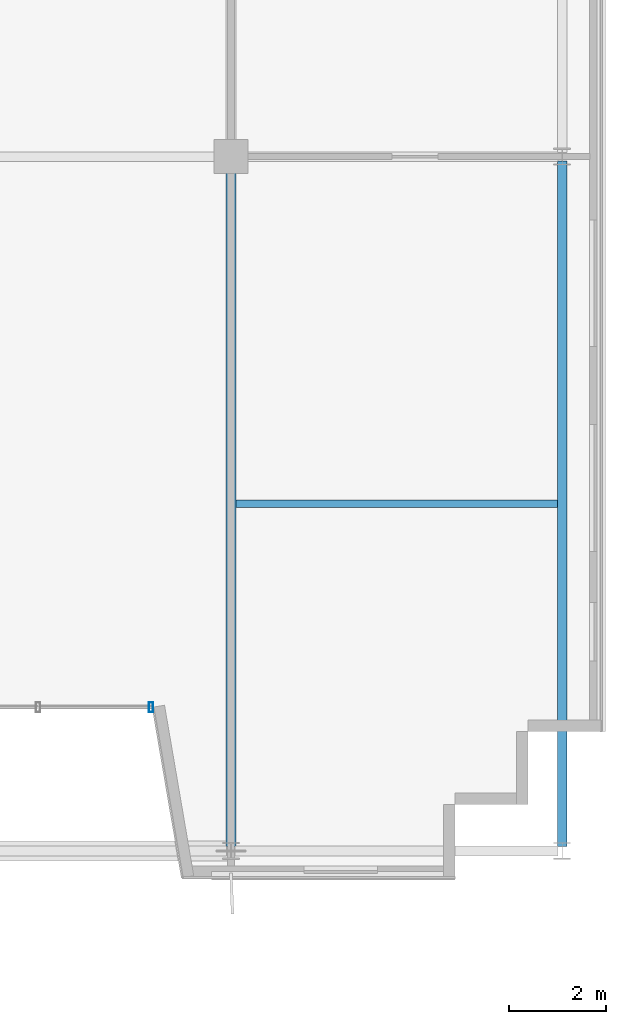
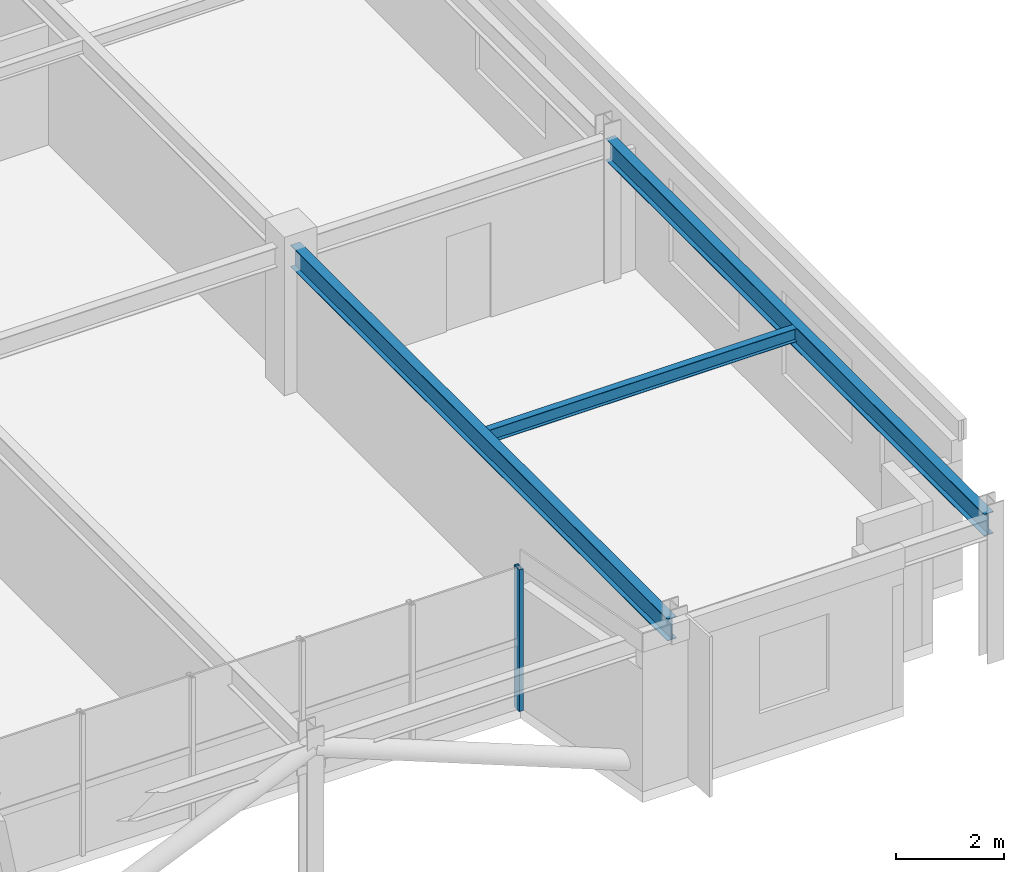
# One storey, part 8 of 27: 3 beams, 1 member, 1 element without a shape of its own.
"""IFC4 building model written with IfcOpenShell, lengths in metres."""

from ifc_helpers import new_model, si_unit, direction, frame, origin, origin_2d, place, context, subcontext, project, spatial, hollow_rectangle, i_section, extrude, source, transform, mapped, material, material_profile, profile_set, type_object, element, aggregate, save


model = new_model("IFC4")

# Units and contexts
model_context = context("Model", 3, precision=1e-05, world=origin(), true_north=direction((0.0, 1.0)))
body_context = subcontext(model_context, "Body", "Model", "MODEL_VIEW")
ifc_project = project(units=[si_unit("LENGTHUNIT", "METRE"), si_unit("AREAUNIT", "SQUARE_METRE"), si_unit("VOLUMEUNIT", "CUBIC_METRE"), si_unit("PLANEANGLEUNIT", "RADIAN"), si_unit("MASSUNIT", "GRAM", prefix="KILO")], contexts=[model_context])

# Site, building, storey
site_placement = place(None, origin())
site = spatial("IfcSite", under=ifc_project, at=site_placement, CompositionType="ELEMENT")
building_placement = place(site_placement, origin())
building = spatial("IfcBuilding", under=site, at=building_placement, Name="Trelvane Seafront Commons", CompositionType="ELEMENT")
storey_placement = place(building_placement, frame((0.0, 0.0, 237.300048828125)))
storey = spatial("IfcBuildingStorey", under=building, at=storey_placement, Name="L62", CompositionType="ELEMENT", Elevation=237.300048828125)

# Beams
ifc_material_1 = material(Name="Steel SM355 (S355)", Category="steel")
ifc_material_profile_1 = material_profile(ifc_material_1, i_section(OverallWidth=0.199951171875, OverallDepth=0.5, WebThickness=0.010009765625, FlangeThickness=0.01611328125, at=origin_2d()), Name="H-500x200x10x16")
ifc_profile_set_1 = profile_set([ifc_material_profile_1], Name="Steel SM355 (S355)")
beam_type_1 = type_object("IfcBeamType", Name="STR-BM-H500", PredefinedType="BEAM", material=ifc_profile_set_1)
shared_shape_1 = source(origin(), body_context, "Body", "SweptSolid", [
    extrude(i_section(OverallWidth=0.199951171875, OverallDepth=0.5, WebThickness=0.010009765625, FlangeThickness=0.01611328125, at=origin_2d()), origin(), (0.0, 0.0, 1.0), 14.074951171875),
])
beam_1_placement = place(storey_placement, frame((65.60009765625, 4.03759765625, 2.969970703125), z_axis=(0.0, 1.0, 0.0), x_axis=(-1.0, 0.0, 0.0)))
element("IfcBeam", 1, at=beam_1_placement, inside=storey, type_object=beam_type_1, Name="L62 Primary Girder G-50", PredefinedType="BEAM", context=body_context, shape_type="MappedRepresentation", body=[
    mapped(shared_shape_1, transform((0.0, 0.0, 0.0), x_axis=(1.0, 0.0, 0.0), y_axis=(0.0, 1.0, 0.0), z_axis=(0.0, 0.0, 1.0), scale=1.0)),
])
shared_shape_2 = source(origin(), body_context, "Body", "SweptSolid", [
    extrude(i_section(OverallWidth=0.199951171875, OverallDepth=0.5, WebThickness=0.010009765625, FlangeThickness=0.01611328125, at=origin_2d()), origin(), (0.0, 0.0, 1.0), 14.012451171875),
])
beam_2_placement = place(storey_placement, frame((58.800048828125, 4.03759765625, 2.969970703125), z_axis=(0.0, 1.0, 0.0), x_axis=(-1.0, 0.0, 0.0)))
element("IfcBeam", 2, at=beam_2_placement, inside=storey, type_object=beam_type_1, Name="L62 Primary Girder G-47", PredefinedType="BEAM", context=body_context, shape_type="MappedRepresentation", body=[
    mapped(shared_shape_2, transform((0.0, 0.0, 0.0), x_axis=(1.0, 0.0, 0.0), y_axis=(0.0, 1.0, 0.0), z_axis=(0.0, 0.0, 1.0), scale=1.0)),
])
ifc_material_profile_2 = material_profile(ifc_material_1, i_section(OverallWidth=0.14990234375, OverallDepth=0.300048828125, WebThickness=0.006591796875, FlangeThickness=0.009033203125, at=origin_2d()), Name="H-300x150x6.5x9")
ifc_profile_set_2 = profile_set([ifc_material_profile_2], Name="Steel SM355 (S355)")
beam_type_2 = type_object("IfcBeamType", Name="STR-JST-H300", PredefinedType="JOIST", material=ifc_profile_set_2)
shared_shape_3 = source(origin(), body_context, "Body", "SweptSolid", [
    extrude(i_section(OverallWidth=0.14990234375, OverallDepth=0.300048828125, WebThickness=0.006591796875, FlangeThickness=0.009033203125, at=origin_2d()), origin(), (0.0, 0.0, 1.0), 6.60009765625),
])
beam_3_placement = place(storey_placement, frame((58.89990234375, 11.074951171875, 3.070068359375), z_axis=(1.0, 0.0, 0.0), x_axis=(0.0, 1.0, 0.0)))
element("IfcBeam", 3, at=beam_3_placement, inside=storey, type_object=beam_type_2, Name="L62 Secondary Floor Joist B-57", PredefinedType="JOIST", context=body_context, shape_type="MappedRepresentation", body=[
    mapped(shared_shape_3, transform((0.0, 0.0, 0.0), x_axis=(1.0, 0.0, 0.0), y_axis=(0.0, 1.0, 0.0), z_axis=(0.0, 0.0, 1.0), scale=1.0)),
])

# Curtain wall, member
ifc_material_2 = material(Name="Anodised pale-silver aluminium", Category="aluminium")
curtain_wall_type = type_object("IfcCurtainWallType", Name="ARCH-CW3-PORTAL", PredefinedType="NOTDEFINED", material=ifc_material_2)
curtain_wall_placement = place(storey_placement, origin())
curtain_wall = element("IfcCurtainWall", 4, at=curtain_wall_placement, inside=storey, type_object=curtain_wall_type, Name="CW-L62-VN-0107", PredefinedType="NOTDEFINED")
ifc_material_profile_3 = material_profile(ifc_material_2, hollow_rectangle(XDim=0.090087890625, YDim=0.199951171875, WallThickness=0.0048828125, at=origin_2d()), Name="MULL-90x200x5")
ifc_profile_set_3 = profile_set([ifc_material_profile_3], Name="Anodised pale-silver aluminium")
member_type = type_object("IfcMemberType", Name="ARCH-CW-MULL-200", PredefinedType="MULLION", material=ifc_profile_set_3)
shared_shape_4 = source(origin(), body_context, "Body", "SweptSolid", [
    extrude(hollow_rectangle(XDim=0.090087890625, YDim=0.199951171875, WallThickness=0.0048828125, at=origin_2d()), origin(), (0.0, 0.0, 1.0), 3.219970703125),
])
member_placement = place(storey_placement, frame((57.159912109375, 6.89990234375, 0.0), z_axis=(0.0, 0.0, 1.0), x_axis=(1.0, 0.0, 0.0)))
member = element("IfcMember", 5, at=member_placement, type_object=member_type, Name="CW-L62-VN-0107-M00", PredefinedType="MULLION", context=body_context, shape_type="MappedRepresentation", body=[
    mapped(shared_shape_4, transform((0.0, 0.0, 0.0), x_axis=(1.0, 0.0, 0.0), y_axis=(0.0, 1.0, 0.0), z_axis=(0.0, 0.0, 1.0), scale=1.0)),
])
aggregate(curtain_wall, [member])

save(model, "model.ifc")
